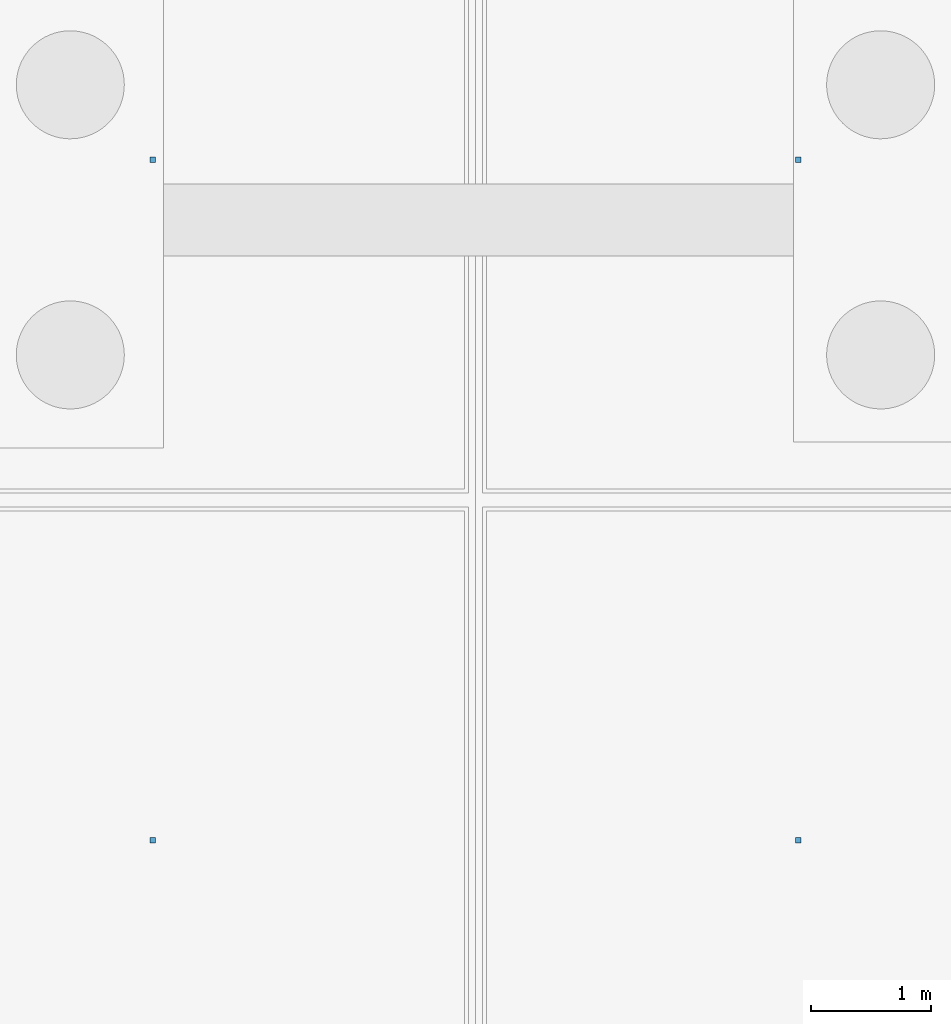
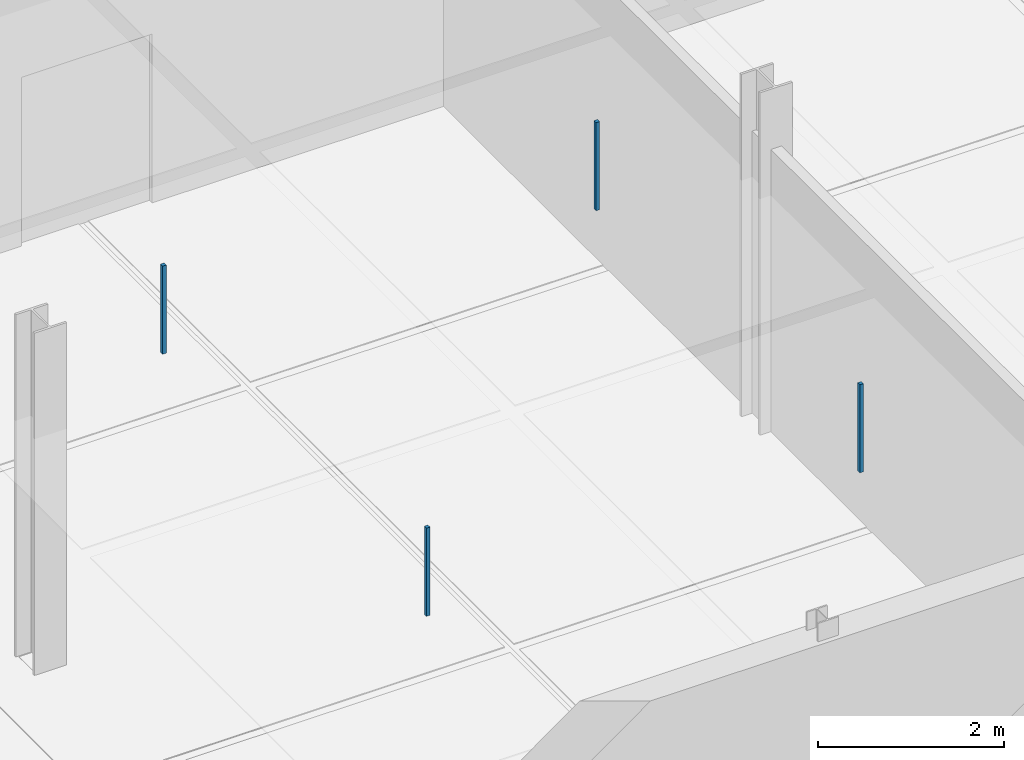
# One storey, part 28 of 48: 4 discrete accessories.
"""IFC4 building model written with IfcOpenShell, lengths in metres."""

from ifc_helpers import new_model, si_unit, direction, frame, origin, origin_2d, place, context, subcontext, project, spatial, rectangle, extrude, material, type_object, element, save


model = new_model("IFC4")

# Units and contexts
model_context = context("Model", 3, precision=1e-05, world=origin(), true_north=direction((0.0, 1.0)))
body_context = subcontext(model_context, "Body", "Model", "MODEL_VIEW")
ifc_project = project(units=[si_unit("LENGTHUNIT", "METRE"), si_unit("AREAUNIT", "SQUARE_METRE"), si_unit("VOLUMEUNIT", "CUBIC_METRE"), si_unit("PLANEANGLEUNIT", "RADIAN"), si_unit("MASSUNIT", "GRAM", prefix="KILO"), si_unit("THERMODYNAMICTEMPERATUREUNIT", "KELVIN"), si_unit("POWERUNIT", "WATT")], contexts=[model_context])

# Site, building, storey
site_placement = place(None, origin())
site = spatial("IfcSite", under=ifc_project, at=site_placement, CompositionType="ELEMENT")
building_placement = place(site_placement, origin())
building = spatial("IfcBuilding", under=site, at=building_placement, Name="Tallowbark Science Centre", CompositionType="ELEMENT")
storey_placement = place(building_placement, frame((0.0, 0.0, -4.5)))
storey = spatial("IfcBuildingStorey", under=building, at=storey_placement, Name="B1", CompositionType="ELEMENT", Elevation=-4.5)

# Discrete accessories
ifc_material = material(Name="Galvanised Steel Grade C350L0 (350 MPa)", Category="steel")
discrete_accessory_type = type_object("IfcDiscreteAccessoryType", Name="ACC-CLG-HNG", PredefinedType="BRACKET", material=ifc_material)
for number, where, z_axis, x_axis, name in (
    (1, (78.3125, 8.333251953125, 3.10595703125), (0.0, 0.0, 1.0), (1.0, 0.0, 0.0), "Ceiling Hanger Bracket B1-13"),
    (2, (78.3125, 14.0, 3.10595703125), (0.0, 0.0, 1.0), (1.0, 0.0, 0.0), "Ceiling Hanger Bracket B1-14"),
    (3, (83.6875, 8.333251953125, 3.10595703125), (0.0, 0.0, 1.0), (1.0, 0.0, 0.0), "Ceiling Hanger Bracket B1-19"),
    (4, (83.6875, 14.0, 3.10595703125), (0.0, 0.0, 1.0), (1.0, 0.0, 0.0), "Ceiling Hanger Bracket B1-20"),
):
    element("IfcDiscreteAccessory", number, at=place(storey_placement, frame(where, z_axis=z_axis, x_axis=x_axis)), inside=storey, type_object=discrete_accessory_type, Name=name, PredefinedType="BRACKET", context=body_context, shape_type="SweptSolid", body=[
        extrude(rectangle(XDim=0.044921875, YDim=0.044921875, at=origin_2d()), origin(), (0.0, 0.0, 1.0), 1.156982421875),
    ])

save(model, "model.ifc")
